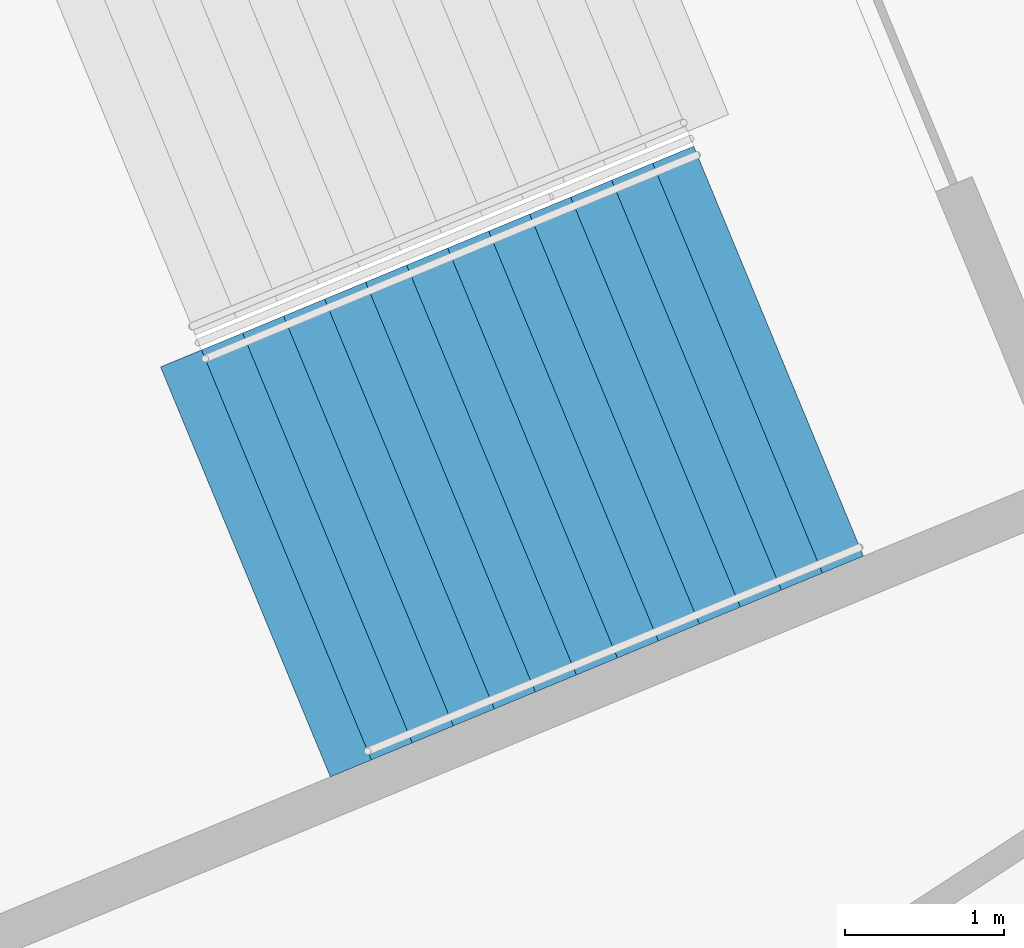
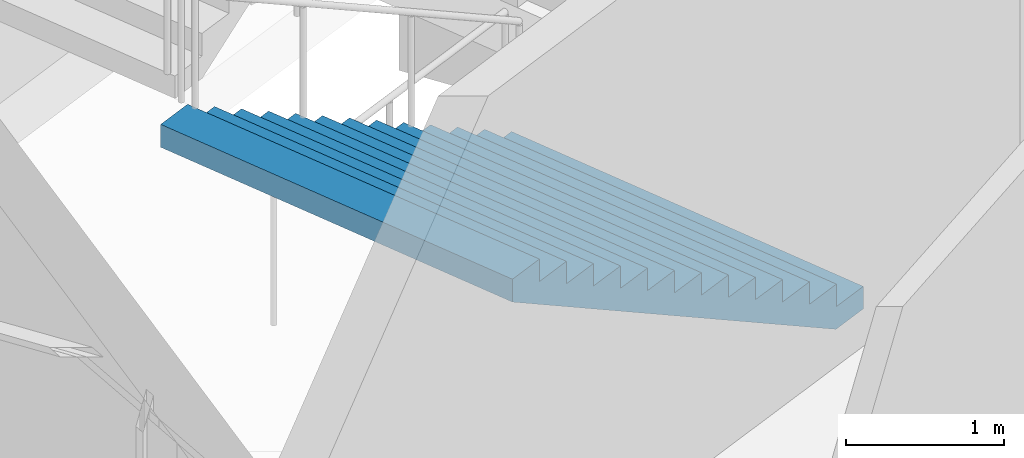
# One storey, part 107 of 199: 1 stair flight, 1 element without a shape of its own.
"""IFC4 building model written with IfcOpenShell, lengths in metres."""

from ifc_helpers import new_model, si_unit, direction, frame, origin, place, context, subcontext, project, spatial, faceted_brep, material, type_object, element, aggregate, save


model = new_model("IFC4")

# Units and contexts
model_context = context("Model", 3, precision=1e-05, world=origin(), true_north=direction((0.0, 1.0)))
body_context = subcontext(model_context, "Body", "Model", "MODEL_VIEW")
ifc_project = project(units=[si_unit("LENGTHUNIT", "METRE"), si_unit("AREAUNIT", "SQUARE_METRE"), si_unit("VOLUMEUNIT", "CUBIC_METRE"), si_unit("PLANEANGLEUNIT", "RADIAN"), si_unit("MASSUNIT", "GRAM", prefix="KILO")], contexts=[model_context])

# Site, building, storey
site_placement = place(None, origin())
site = spatial("IfcSite", under=ifc_project, at=site_placement, CompositionType="ELEMENT")
building_placement = place(site_placement, origin())
building = spatial("IfcBuilding", under=site, at=building_placement, Name="Ogive Plaza Stadium", CompositionType="ELEMENT")
storey_placement = place(building_placement, frame((0.0, 0.0, 4.5)))
storey = spatial("IfcBuildingStorey", under=building, at=storey_placement, Name="L01", CompositionType="ELEMENT", Elevation=4.5)

# Stair, stair flight
ifc_material_1 = material(Name="Concrete C40/50", Category="concrete")
stair_type = type_object("IfcStairType", Name="Exit stair", PredefinedType="STRAIGHT_RUN_STAIR", material=ifc_material_1)
stair_placement = place(storey_placement, origin())
stair = element("IfcStair", 1, at=stair_placement, inside=storey, type_object=stair_type, Name="Exit stair ST20B L01 to L02", PredefinedType="STRAIGHT_RUN_STAIR")
ifc_material_2 = material(Name="Concrete C40/50", Category="concrete")
stair_flight_type = type_object("IfcStairFlightType", Name="Exit stair flight", PredefinedType="STRAIGHT", material=ifc_material_2)
stair_flight_placement = place(storey_placement, frame((-71.432861328125, -72.794921875, 0.0), z_axis=(0.0, 0.0, 1.0), x_axis=(-0.923879532511, -0.382683432365, 0.0)))
stair_flight = element("IfcStairFlight", 2, at=stair_flight_placement, type_object=stair_flight_type, Name="ST20B flight 1", NumberOfRisers=13, NumberOfTreads=12, PredefinedType="STRAIGHT", RiserHeight=0.173076923, TreadLength=0.28, context=body_context, shape_type="Brep", body=[
    faceted_brep([(0.28515625, -1.39990234375, 0.0), (3.639892578125, -1.39990234375, 2.07373046875), (3.639892578125, -1.39990234375, 2.25), (3.360107421875, -1.39990234375, 2.25), (3.360107421875, -1.39990234375, 2.076904296875), (3.080078125, -1.39990234375, 2.076904296875), (3.080078125, -1.39990234375, 1.90380859375), (2.800048828125, -1.39990234375, 1.90380859375), (2.800048828125, -1.39990234375, 1.730712890625), (2.52001953125, -1.39990234375, 1.730712890625), (2.52001953125, -1.39990234375, 1.5576171875), (2.239990234375, -1.39990234375, 1.5576171875), (2.239990234375, -1.39990234375, 1.384521484375), (1.9599609375, -1.39990234375, 1.384521484375), (1.9599609375, -1.39990234375, 1.21142578125), (1.679931640625, -1.39990234375, 1.21142578125), (1.679931640625, -1.39990234375, 1.03857421875), (1.39990234375, -1.39990234375, 1.03857421875), (1.39990234375, -1.39990234375, 0.865478515625), (1.1201171875, -1.39990234375, 0.865478515625), (1.1201171875, -1.39990234375, 0.6923828125), (0.840087890625, -1.39990234375, 0.6923828125), (0.840087890625, -1.39990234375, 0.519287109375), (0.56005859375, -1.39990234375, 0.519287109375), (0.56005859375, -1.39990234375, 0.34619140625), (0.280029296875, -1.39990234375, 0.34619140625), (0.280029296875, -1.39990234375, 0.173095703125), (0.0, -1.39990234375, 0.173095703125), (0.0, -1.39990234375, 0.0), (0.0, 1.39990234375, 0.0), (0.0, 1.39990234375, 0.173095703125), (0.280029296875, 1.39990234375, 0.173095703125), (0.280029296875, 1.39990234375, 0.34619140625), (0.56005859375, 1.39990234375, 0.34619140625), (0.56005859375, 1.39990234375, 0.519287109375), (0.840087890625, 1.39990234375, 0.519287109375), (0.840087890625, 1.39990234375, 0.6923828125), (1.1201171875, 1.39990234375, 0.6923828125), (1.1201171875, 1.39990234375, 0.865478515625), (1.39990234375, 1.39990234375, 0.865478515625), (1.39990234375, 1.39990234375, 1.03857421875), (1.679931640625, 1.39990234375, 1.03857421875), (1.679931640625, 1.39990234375, 1.21142578125), (1.9599609375, 1.39990234375, 1.21142578125), (1.9599609375, 1.39990234375, 1.384521484375), (2.239990234375, 1.39990234375, 1.384521484375), (2.239990234375, 1.39990234375, 1.5576171875), (2.52001953125, 1.39990234375, 1.5576171875), (2.52001953125, 1.39990234375, 1.730712890625), (2.800048828125, 1.39990234375, 1.730712890625), (2.800048828125, 1.39990234375, 1.90380859375), (3.080078125, 1.39990234375, 1.90380859375), (3.080078125, 1.39990234375, 2.076904296875), (3.360107421875, 1.39990234375, 2.076904296875), (3.360107421875, 1.39990234375, 2.25), (3.639892578125, 1.39990234375, 2.25), (3.639892578125, 1.39990234375, 2.07373046875), (0.28515625, 1.39990234375, 0.0), (0.28515625, -1.0888671875, 0.0), (3.639892578125, -1.0888671875, 2.07373046875), (0.28515625, -0.77783203125, 0.0), (3.639892578125, -0.77783203125, 2.07373046875), (0.28515625, -0.466796875, 0.0), (3.639892578125, -0.466796875, 2.07373046875), (0.28515625, -0.155517578125, 0.0), (3.639892578125, -0.155517578125, 2.07373046875), (0.28515625, 0.155517578125, 0.0), (3.639892578125, 0.155517578125, 2.07373046875), (0.28515625, 0.466796875, 0.0), (3.639892578125, 0.466796875, 2.07373046875), (0.28515625, 0.77783203125, 0.0), (3.639892578125, 0.77783203125, 2.07373046875), (0.28515625, 1.0888671875, 0.0), (3.639892578125, 1.0888671875, 2.07373046875), (3.639892578125, -1.0888671875, 2.25), (3.639892578125, -0.77783203125, 2.25), (3.639892578125, -0.466796875, 2.25), (3.639892578125, -0.155517578125, 2.25), (3.639892578125, 0.155517578125, 2.25), (3.639892578125, 0.466796875, 2.25), (3.639892578125, 0.77783203125, 2.25), (3.639892578125, 1.0888671875, 2.25), (3.360107421875, -1.0888671875, 2.25), (3.360107421875, -0.77783203125, 2.25), (3.360107421875, -0.466796875, 2.25), (3.360107421875, -0.155517578125, 2.25), (3.360107421875, 0.155517578125, 2.25), (3.360107421875, 0.466796875, 2.25), (3.360107421875, 0.77783203125, 2.25), (3.360107421875, 1.0888671875, 2.25), (3.360107421875, -1.0888671875, 2.076904296875), (3.360107421875, -0.77783203125, 2.076904296875), (3.360107421875, -0.466796875, 2.076904296875), (3.360107421875, -0.155517578125, 2.076904296875), (3.360107421875, 0.155517578125, 2.076904296875), (3.360107421875, 0.466796875, 2.076904296875), (3.360107421875, 0.77783203125, 2.076904296875), (3.360107421875, 1.0888671875, 2.076904296875), (3.080078125, -1.0888671875, 2.076904296875), (3.080078125, -0.77783203125, 2.076904296875), (3.080078125, -0.466796875, 2.076904296875), (3.080078125, -0.155517578125, 2.076904296875), (3.080078125, 0.155517578125, 2.076904296875), (3.080078125, 0.466796875, 2.076904296875), (3.080078125, 0.77783203125, 2.076904296875), (3.080078125, 1.0888671875, 2.076904296875), (3.080078125, -1.0888671875, 1.90380859375), (3.080078125, -0.77783203125, 1.90380859375), (3.080078125, -0.466796875, 1.90380859375), (3.080078125, -0.155517578125, 1.90380859375), (3.080078125, 0.155517578125, 1.90380859375), (3.080078125, 0.466796875, 1.90380859375), (3.080078125, 0.77783203125, 1.90380859375), (3.080078125, 1.0888671875, 1.90380859375), (2.800048828125, -1.0888671875, 1.90380859375), (2.800048828125, -0.77783203125, 1.90380859375), (2.800048828125, -0.466796875, 1.90380859375), (2.800048828125, -0.155517578125, 1.90380859375), (2.800048828125, 0.155517578125, 1.90380859375), (2.800048828125, 0.466796875, 1.90380859375), (2.800048828125, 0.77783203125, 1.90380859375), (2.800048828125, 1.0888671875, 1.90380859375), (2.800048828125, -1.0888671875, 1.730712890625), (2.800048828125, -0.77783203125, 1.730712890625), (2.800048828125, -0.466796875, 1.730712890625), (2.800048828125, -0.155517578125, 1.730712890625), (2.800048828125, 0.155517578125, 1.730712890625), (2.800048828125, 0.466796875, 1.730712890625), (2.800048828125, 0.77783203125, 1.730712890625), (2.800048828125, 1.0888671875, 1.730712890625), (2.52001953125, -1.0888671875, 1.730712890625), (2.52001953125, -0.77783203125, 1.730712890625), (2.52001953125, -0.466796875, 1.730712890625), (2.52001953125, -0.155517578125, 1.730712890625), (2.52001953125, 0.155517578125, 1.730712890625), (2.52001953125, 0.466796875, 1.730712890625), (2.52001953125, 0.77783203125, 1.730712890625), (2.52001953125, 1.0888671875, 1.730712890625), (2.52001953125, -1.0888671875, 1.5576171875), (2.52001953125, -0.77783203125, 1.5576171875), (2.52001953125, -0.466796875, 1.5576171875), (2.52001953125, -0.155517578125, 1.5576171875), (2.52001953125, 0.155517578125, 1.5576171875), (2.52001953125, 0.466796875, 1.5576171875), (2.52001953125, 0.77783203125, 1.5576171875), (2.52001953125, 1.0888671875, 1.5576171875), (2.239990234375, -1.0888671875, 1.5576171875), (2.239990234375, -0.77783203125, 1.5576171875), (2.239990234375, -0.466796875, 1.5576171875), (2.239990234375, -0.155517578125, 1.5576171875), (2.239990234375, 0.155517578125, 1.5576171875), (2.239990234375, 0.466796875, 1.5576171875), (2.239990234375, 0.77783203125, 1.5576171875), (2.239990234375, 1.0888671875, 1.5576171875), (2.239990234375, -1.0888671875, 1.384521484375), (2.239990234375, -0.77783203125, 1.384521484375), (2.239990234375, -0.466796875, 1.384521484375), (2.239990234375, -0.155517578125, 1.384521484375), (2.239990234375, 0.155517578125, 1.384521484375), (2.239990234375, 0.466796875, 1.384521484375), (2.239990234375, 0.77783203125, 1.384521484375), (2.239990234375, 1.0888671875, 1.384521484375), (1.9599609375, -1.0888671875, 1.384521484375), (1.9599609375, -0.77783203125, 1.384521484375), (1.9599609375, -0.466796875, 1.384521484375), (1.9599609375, -0.155517578125, 1.384521484375), (1.9599609375, 0.155517578125, 1.384521484375), (1.9599609375, 0.466796875, 1.384521484375), (1.9599609375, 0.77783203125, 1.384521484375), (1.9599609375, 1.0888671875, 1.384521484375), (1.9599609375, -1.0888671875, 1.21142578125), (1.9599609375, -0.77783203125, 1.21142578125), (1.9599609375, -0.466796875, 1.21142578125), (1.9599609375, -0.155517578125, 1.21142578125), (1.9599609375, 0.155517578125, 1.21142578125), (1.9599609375, 0.466796875, 1.21142578125), (1.9599609375, 0.77783203125, 1.21142578125), (1.9599609375, 1.0888671875, 1.21142578125), (1.679931640625, -1.0888671875, 1.21142578125), (1.679931640625, -0.77783203125, 1.21142578125), (1.679931640625, -0.466796875, 1.21142578125), (1.679931640625, -0.155517578125, 1.21142578125), (1.679931640625, 0.155517578125, 1.21142578125), (1.679931640625, 0.466796875, 1.21142578125), (1.679931640625, 0.77783203125, 1.21142578125), (1.679931640625, 1.0888671875, 1.21142578125), (1.679931640625, -1.0888671875, 1.03857421875), (1.679931640625, -0.77783203125, 1.03857421875), (1.679931640625, -0.466796875, 1.03857421875), (1.679931640625, -0.155517578125, 1.03857421875), (1.679931640625, 0.155517578125, 1.03857421875), (1.679931640625, 0.466796875, 1.03857421875), (1.679931640625, 0.77783203125, 1.03857421875), (1.679931640625, 1.0888671875, 1.03857421875), (1.39990234375, -1.0888671875, 1.03857421875), (1.39990234375, -0.77783203125, 1.03857421875), (1.39990234375, -0.466796875, 1.03857421875), (1.39990234375, -0.155517578125, 1.03857421875), (1.39990234375, 0.155517578125, 1.03857421875), (1.39990234375, 0.466796875, 1.03857421875), (1.39990234375, 0.77783203125, 1.03857421875), (1.39990234375, 1.0888671875, 1.03857421875), (1.39990234375, -1.0888671875, 0.865478515625), (1.39990234375, -0.77783203125, 0.865478515625), (1.39990234375, -0.466796875, 0.865478515625), (1.39990234375, -0.155517578125, 0.865478515625), (1.39990234375, 0.155517578125, 0.865478515625), (1.39990234375, 0.466796875, 0.865478515625), (1.39990234375, 0.77783203125, 0.865478515625), (1.39990234375, 1.0888671875, 0.865478515625), (1.1201171875, -1.0888671875, 0.865478515625), (1.1201171875, -0.77783203125, 0.865478515625), (1.1201171875, -0.466796875, 0.865478515625), (1.1201171875, -0.155517578125, 0.865478515625), (1.1201171875, 0.155517578125, 0.865478515625), (1.1201171875, 0.466796875, 0.865478515625), (1.1201171875, 0.77783203125, 0.865478515625), (1.1201171875, 1.0888671875, 0.865478515625), (1.1201171875, -1.0888671875, 0.6923828125), (1.1201171875, -0.77783203125, 0.6923828125), (1.1201171875, -0.466796875, 0.6923828125), (1.1201171875, -0.155517578125, 0.6923828125), (1.1201171875, 0.155517578125, 0.6923828125), (1.1201171875, 0.466796875, 0.6923828125), (1.1201171875, 0.77783203125, 0.6923828125), (1.1201171875, 1.0888671875, 0.6923828125), (0.840087890625, -1.0888671875, 0.6923828125), (0.840087890625, -0.77783203125, 0.6923828125), (0.840087890625, -0.466796875, 0.6923828125), (0.840087890625, -0.155517578125, 0.6923828125), (0.840087890625, 0.155517578125, 0.6923828125), (0.840087890625, 0.466796875, 0.6923828125), (0.840087890625, 0.77783203125, 0.6923828125), (0.840087890625, 1.0888671875, 0.6923828125), (0.840087890625, -1.0888671875, 0.519287109375), (0.840087890625, -0.77783203125, 0.519287109375), (0.840087890625, -0.466796875, 0.519287109375), (0.840087890625, -0.155517578125, 0.519287109375), (0.840087890625, 0.155517578125, 0.519287109375), (0.840087890625, 0.466796875, 0.519287109375), (0.840087890625, 0.77783203125, 0.519287109375), (0.840087890625, 1.0888671875, 0.519287109375), (0.56005859375, -1.0888671875, 0.519287109375), (0.56005859375, -0.77783203125, 0.519287109375), (0.56005859375, -0.466796875, 0.519287109375), (0.56005859375, -0.155517578125, 0.519287109375), (0.56005859375, 0.155517578125, 0.519287109375), (0.56005859375, 0.466796875, 0.519287109375), (0.56005859375, 0.77783203125, 0.519287109375), (0.56005859375, 1.0888671875, 0.519287109375), (0.56005859375, -1.0888671875, 0.34619140625), (0.56005859375, -0.77783203125, 0.34619140625), (0.56005859375, -0.466796875, 0.34619140625), (0.56005859375, -0.155517578125, 0.34619140625), (0.56005859375, 0.155517578125, 0.34619140625), (0.56005859375, 0.466796875, 0.34619140625), (0.56005859375, 0.77783203125, 0.34619140625), (0.56005859375, 1.0888671875, 0.34619140625), (0.280029296875, -1.0888671875, 0.34619140625), (0.280029296875, -0.77783203125, 0.34619140625), (0.280029296875, -0.466796875, 0.34619140625), (0.280029296875, -0.155517578125, 0.34619140625), (0.280029296875, 0.155517578125, 0.34619140625), (0.280029296875, 0.466796875, 0.34619140625), (0.280029296875, 0.77783203125, 0.34619140625), (0.280029296875, 1.0888671875, 0.34619140625), (0.280029296875, -1.0888671875, 0.173095703125), (0.280029296875, -0.77783203125, 0.173095703125), (0.280029296875, -0.466796875, 0.173095703125), (0.280029296875, -0.155517578125, 0.173095703125), (0.280029296875, 0.155517578125, 0.173095703125), (0.280029296875, 0.466796875, 0.173095703125), (0.280029296875, 0.77783203125, 0.173095703125), (0.280029296875, 1.0888671875, 0.173095703125), (0.0, -1.0888671875, 0.173095703125), (0.0, -0.77783203125, 0.173095703125), (0.0, -0.466796875, 0.173095703125), (0.0, -0.155517578125, 0.173095703125), (0.0, 0.155517578125, 0.173095703125), (0.0, 0.466796875, 0.173095703125), (0.0, 0.77783203125, 0.173095703125), (0.0, 1.0888671875, 0.173095703125), (0.0, -1.0888671875, 0.0), (0.0, -0.77783203125, 0.0), (0.0, -0.466796875, 0.0), (0.0, -0.155517578125, 0.0), (0.0, 0.155517578125, 0.0), (0.0, 0.466796875, 0.0), (0.0, 0.77783203125, 0.0), (0.0, 1.0888671875, 0.0)], [[[0, 1, 2, 3, 4, 5, 6, 7, 8, 9, 10, 11, 12, 13, 14, 15, 16, 17, 18, 19, 20, 21, 22, 23, 24, 25, 26, 27, 28]], [[29, 30, 31, 32, 33, 34, 35, 36, 37, 38, 39, 40, 41, 42, 43, 44, 45, 46, 47, 48, 49, 50, 51, 52, 53, 54, 55, 56, 57]], [[0, 58, 59, 1]], [[58, 60, 61, 59]], [[60, 62, 63, 61]], [[62, 64, 65, 63]], [[64, 66, 67, 65]], [[66, 68, 69, 67]], [[68, 70, 71, 69]], [[70, 72, 73, 71]], [[72, 57, 56, 73]], [[1, 59, 74, 2]], [[59, 61, 75, 74]], [[61, 63, 76, 75]], [[63, 65, 77, 76]], [[65, 67, 78, 77]], [[67, 69, 79, 78]], [[69, 71, 80, 79]], [[71, 73, 81, 80]], [[73, 56, 55, 81]], [[2, 74, 82, 3]], [[74, 75, 83, 82]], [[75, 76, 84, 83]], [[76, 77, 85, 84]], [[77, 78, 86, 85]], [[78, 79, 87, 86]], [[79, 80, 88, 87]], [[80, 81, 89, 88]], [[81, 55, 54, 89]], [[3, 82, 90, 4]], [[82, 83, 91, 90]], [[83, 84, 92, 91]], [[84, 85, 93, 92]], [[85, 86, 94, 93]], [[86, 87, 95, 94]], [[87, 88, 96, 95]], [[88, 89, 97, 96]], [[89, 54, 53, 97]], [[4, 90, 98, 5]], [[90, 91, 99, 98]], [[91, 92, 100, 99]], [[92, 93, 101, 100]], [[93, 94, 102, 101]], [[94, 95, 103, 102]], [[95, 96, 104, 103]], [[96, 97, 105, 104]], [[97, 53, 52, 105]], [[5, 98, 106, 6]], [[98, 99, 107, 106]], [[99, 100, 108, 107]], [[100, 101, 109, 108]], [[101, 102, 110, 109]], [[102, 103, 111, 110]], [[103, 104, 112, 111]], [[104, 105, 113, 112]], [[105, 52, 51, 113]], [[6, 106, 114, 7]], [[106, 107, 115, 114]], [[107, 108, 116, 115]], [[108, 109, 117, 116]], [[109, 110, 118, 117]], [[110, 111, 119, 118]], [[111, 112, 120, 119]], [[112, 113, 121, 120]], [[113, 51, 50, 121]], [[7, 114, 122, 8]], [[114, 115, 123, 122]], [[115, 116, 124, 123]], [[116, 117, 125, 124]], [[117, 118, 126, 125]], [[118, 119, 127, 126]], [[119, 120, 128, 127]], [[120, 121, 129, 128]], [[121, 50, 49, 129]], [[8, 122, 130, 9]], [[122, 123, 131, 130]], [[123, 124, 132, 131]], [[124, 125, 133, 132]], [[125, 126, 134, 133]], [[126, 127, 135, 134]], [[127, 128, 136, 135]], [[128, 129, 137, 136]], [[129, 49, 48, 137]], [[9, 130, 138, 10]], [[130, 131, 139, 138]], [[131, 132, 140, 139]], [[132, 133, 141, 140]], [[133, 134, 142, 141]], [[134, 135, 143, 142]], [[135, 136, 144, 143]], [[136, 137, 145, 144]], [[137, 48, 47, 145]], [[10, 138, 146, 11]], [[138, 139, 147, 146]], [[139, 140, 148, 147]], [[140, 141, 149, 148]], [[141, 142, 150, 149]], [[142, 143, 151, 150]], [[143, 144, 152, 151]], [[144, 145, 153, 152]], [[145, 47, 46, 153]], [[11, 146, 154, 12]], [[146, 147, 155, 154]], [[147, 148, 156, 155]], [[148, 149, 157, 156]], [[149, 150, 158, 157]], [[150, 151, 159, 158]], [[151, 152, 160, 159]], [[152, 153, 161, 160]], [[153, 46, 45, 161]], [[12, 154, 162, 13]], [[154, 155, 163, 162]], [[155, 156, 164, 163]], [[156, 157, 165, 164]], [[157, 158, 166, 165]], [[158, 159, 167, 166]], [[159, 160, 168, 167]], [[160, 161, 169, 168]], [[161, 45, 44, 169]], [[13, 162, 170, 14]], [[162, 163, 171, 170]], [[163, 164, 172, 171]], [[164, 165, 173, 172]], [[165, 166, 174, 173]], [[166, 167, 175, 174]], [[167, 168, 176, 175]], [[168, 169, 177, 176]], [[169, 44, 43, 177]], [[14, 170, 178, 15]], [[170, 171, 179, 178]], [[171, 172, 180, 179]], [[172, 173, 181, 180]], [[173, 174, 182, 181]], [[174, 175, 183, 182]], [[175, 176, 184, 183]], [[176, 177, 185, 184]], [[177, 43, 42, 185]], [[15, 178, 186, 16]], [[178, 179, 187, 186]], [[179, 180, 188, 187]], [[180, 181, 189, 188]], [[181, 182, 190, 189]], [[182, 183, 191, 190]], [[183, 184, 192, 191]], [[184, 185, 193, 192]], [[185, 42, 41, 193]], [[16, 186, 194, 17]], [[186, 187, 195, 194]], [[187, 188, 196, 195]], [[188, 189, 197, 196]], [[189, 190, 198, 197]], [[190, 191, 199, 198]], [[191, 192, 200, 199]], [[192, 193, 201, 200]], [[193, 41, 40, 201]], [[17, 194, 202, 18]], [[194, 195, 203, 202]], [[195, 196, 204, 203]], [[196, 197, 205, 204]], [[197, 198, 206, 205]], [[198, 199, 207, 206]], [[199, 200, 208, 207]], [[200, 201, 209, 208]], [[201, 40, 39, 209]], [[18, 202, 210, 19]], [[202, 203, 211, 210]], [[203, 204, 212, 211]], [[204, 205, 213, 212]], [[205, 206, 214, 213]], [[206, 207, 215, 214]], [[207, 208, 216, 215]], [[208, 209, 217, 216]], [[209, 39, 38, 217]], [[19, 210, 218, 20]], [[210, 211, 219, 218]], [[211, 212, 220, 219]], [[212, 213, 221, 220]], [[213, 214, 222, 221]], [[214, 215, 223, 222]], [[215, 216, 224, 223]], [[216, 217, 225, 224]], [[217, 38, 37, 225]], [[20, 218, 226, 21]], [[218, 219, 227, 226]], [[219, 220, 228, 227]], [[220, 221, 229, 228]], [[221, 222, 230, 229]], [[222, 223, 231, 230]], [[223, 224, 232, 231]], [[224, 225, 233, 232]], [[225, 37, 36, 233]], [[21, 226, 234, 22]], [[226, 227, 235, 234]], [[227, 228, 236, 235]], [[228, 229, 237, 236]], [[229, 230, 238, 237]], [[230, 231, 239, 238]], [[231, 232, 240, 239]], [[232, 233, 241, 240]], [[233, 36, 35, 241]], [[22, 234, 242, 23]], [[234, 235, 243, 242]], [[235, 236, 244, 243]], [[236, 237, 245, 244]], [[237, 238, 246, 245]], [[238, 239, 247, 246]], [[239, 240, 248, 247]], [[240, 241, 249, 248]], [[241, 35, 34, 249]], [[23, 242, 250, 24]], [[242, 243, 251, 250]], [[243, 244, 252, 251]], [[244, 245, 253, 252]], [[245, 246, 254, 253]], [[246, 247, 255, 254]], [[247, 248, 256, 255]], [[248, 249, 257, 256]], [[249, 34, 33, 257]], [[24, 250, 258, 25]], [[250, 251, 259, 258]], [[251, 252, 260, 259]], [[252, 253, 261, 260]], [[253, 254, 262, 261]], [[254, 255, 263, 262]], [[255, 256, 264, 263]], [[256, 257, 265, 264]], [[257, 33, 32, 265]], [[25, 258, 266, 26]], [[258, 259, 267, 266]], [[259, 260, 268, 267]], [[260, 261, 269, 268]], [[261, 262, 270, 269]], [[262, 263, 271, 270]], [[263, 264, 272, 271]], [[264, 265, 273, 272]], [[265, 32, 31, 273]], [[26, 266, 274, 27]], [[266, 267, 275, 274]], [[267, 268, 276, 275]], [[268, 269, 277, 276]], [[269, 270, 278, 277]], [[270, 271, 279, 278]], [[271, 272, 280, 279]], [[272, 273, 281, 280]], [[273, 31, 30, 281]], [[27, 274, 282, 28]], [[274, 275, 283, 282]], [[275, 276, 284, 283]], [[276, 277, 285, 284]], [[277, 278, 286, 285]], [[278, 279, 287, 286]], [[279, 280, 288, 287]], [[280, 281, 289, 288]], [[281, 30, 29, 289]], [[28, 282, 58, 0]], [[282, 283, 60, 58]], [[283, 284, 62, 60]], [[284, 285, 64, 62]], [[285, 286, 66, 64]], [[286, 287, 68, 66]], [[287, 288, 70, 68]], [[288, 289, 72, 70]], [[289, 29, 57, 72]]]),
])
aggregate(stair, [stair_flight])

save(model, "model.ifc")
